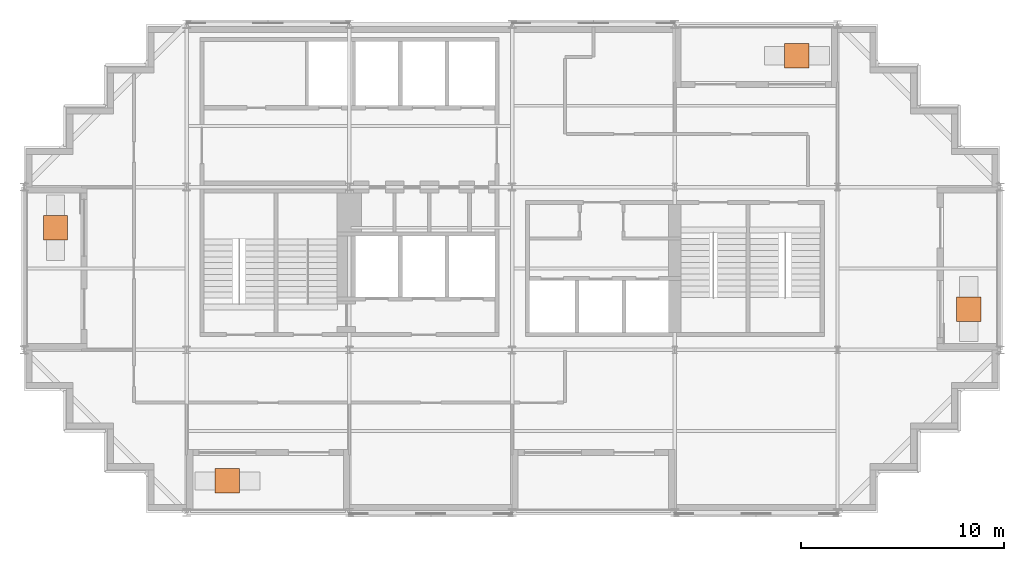
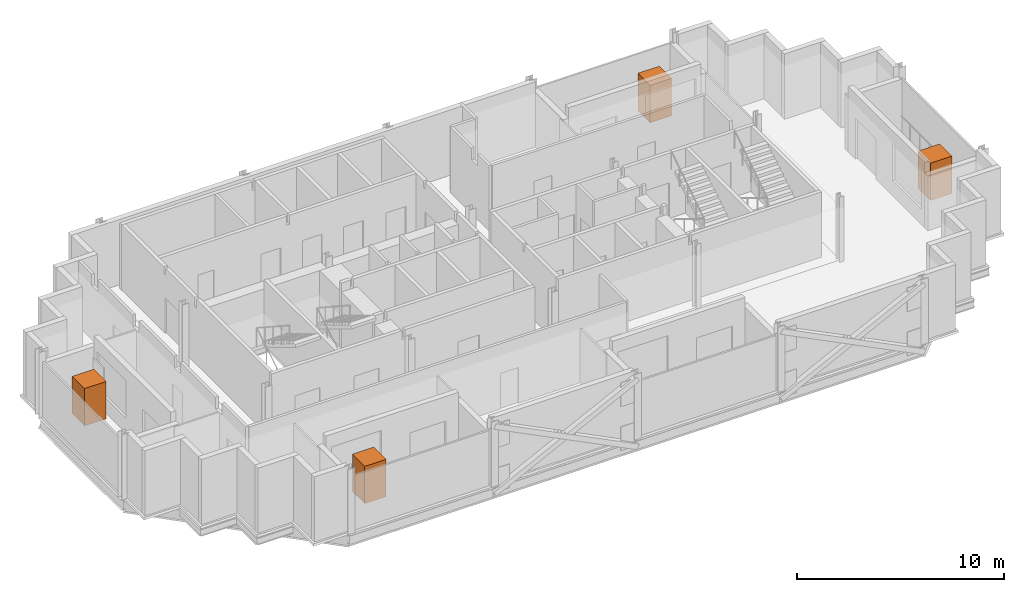
# One storey, part 9 of 9: 4 geographic elements.
"""IFC4 building model written with IfcOpenShell, lengths in metres."""

from ifc_helpers import new_model, si_unit, direction, frame, origin, origin_2d, place, context, subcontext, project, spatial, rectangle, extrude, material, type_object, element, save


model = new_model("IFC4")

# Units and contexts
model_context = context("Model", 3, precision=1e-05, world=origin(), true_north=direction((0.0, 1.0)))
body_context = subcontext(model_context, "Body", "Model", "MODEL_VIEW")
ifc_project = project(units=[si_unit("LENGTHUNIT", "METRE"), si_unit("AREAUNIT", "SQUARE_METRE"), si_unit("VOLUMEUNIT", "CUBIC_METRE"), si_unit("PLANEANGLEUNIT", "RADIAN"), si_unit("MASSUNIT", "GRAM", prefix="KILO")], contexts=[model_context])

# Site, building, storey
site_placement = place(None, origin())
site = spatial("IfcSite", under=ifc_project, at=site_placement, CompositionType="ELEMENT")
building_placement = place(site_placement, origin())
building = spatial("IfcBuilding", under=site, at=building_placement, Name="Immortelle Media Tower", CompositionType="ELEMENT")
storey_placement = place(building_placement, frame((0.0, 0.0, 271.0)))
storey = spatial("IfcBuildingStorey", under=building, at=storey_placement, Name="L59", CompositionType="ELEMENT", Elevation=271.0)

# Geographic elements
ifc_material = material(Name="Tree canopy foliage")
geographic_element_type = type_object("IfcGeographicElementType", Name="Tree", PredefinedType="USERDEFINED", material=ifc_material)
for number, where, z_axis, x_axis, name in (
    (1, (10.0, 1.550048828125, 0.60009765625), (0.0, 0.0, 1.0), (1.0, 0.0, 0.0), "Tree L59 S0"),
    (2, (46.449951171875, 10.0, 0.60009765625), (0.0, 0.0, 1.0), (1.0, 0.0, 0.0), "Tree L59 E0"),
    (3, (38.0, 22.449951171875, 0.60009765625), (0.0, 0.0, 1.0), (1.0, 0.0, 0.0), "Tree L59 N0"),
    (4, (1.550048828125, 14.0, 0.60009765625), (0.0, 0.0, 1.0), (1.0, 0.0, 0.0), "Tree L59 W0"),
):
    element("IfcGeographicElement", number, at=place(storey_placement, frame(where, z_axis=z_axis, x_axis=x_axis)), inside=storey, type_object=geographic_element_type, Name=name, ObjectType="Tree", PredefinedType="USERDEFINED", context=body_context, shape_type="SweptSolid", body=[
        extrude(rectangle(XDim=1.199951171875, YDim=1.199951171875, at=origin_2d()), origin(), (0.0, 0.0, 1.0), 2.199951171875),
    ])

save(model, "model.ifc")
